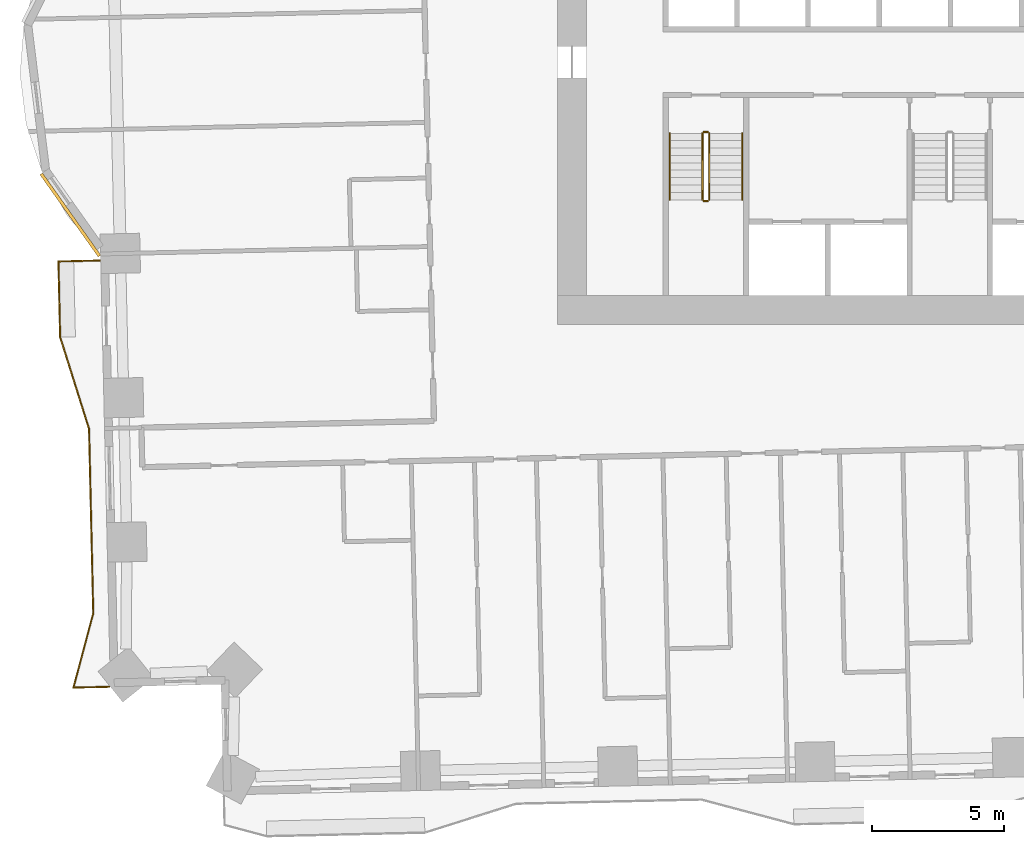
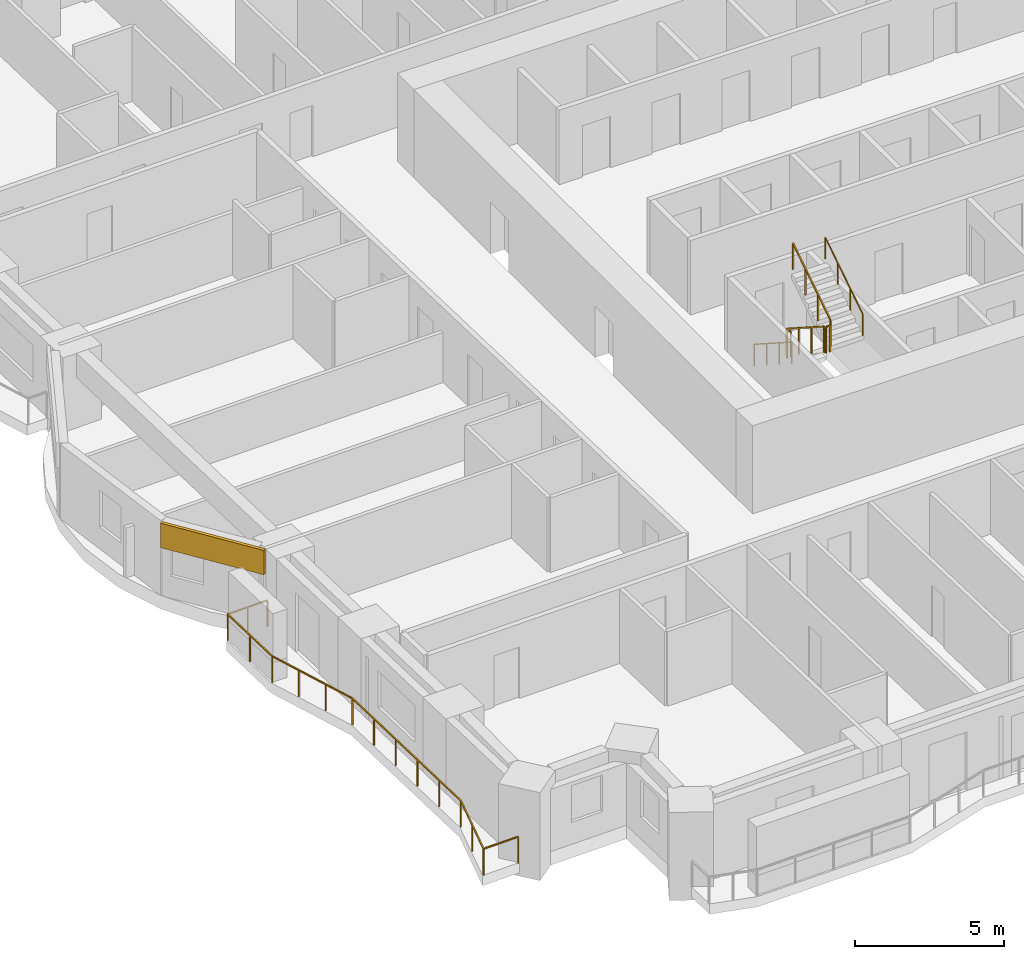
# One storey, part 13 of 16: 7 railings, 1 covering.
"""IFC4 building model written with IfcOpenShell, lengths in metres."""

from ifc_helpers import new_model, si_unit, direction, frame, frame_2d, origin, origin_2d, place, context, subcontext, project, spatial, rectangle, circle, extrude, material, layer, layer_set, type_object, element, save


model = new_model("IFC4")

# Units and contexts
model_context = context("Model", 3, precision=1e-05, world=origin(), true_north=direction((0.0, 1.0)))
body_context = subcontext(model_context, "Body", "Model", "MODEL_VIEW")
ifc_project = project(units=[si_unit("LENGTHUNIT", "METRE"), si_unit("AREAUNIT", "SQUARE_METRE"), si_unit("VOLUMEUNIT", "CUBIC_METRE"), si_unit("PLANEANGLEUNIT", "RADIAN"), si_unit("MASSUNIT", "GRAM", prefix="KILO")], contexts=[model_context])

# Site, building, storey
site_placement = place(None, origin())
site = spatial("IfcSite", under=ifc_project, at=site_placement, CompositionType="ELEMENT")
building_placement = place(site_placement, origin())
building = spatial("IfcBuilding", under=site, at=building_placement, Name="Mangrove Gate Tower", CompositionType="ELEMENT")
storey_placement = place(building_placement, frame((0.0, 0.0, 44.89990234375)))
storey = spatial("IfcBuildingStorey", under=building, at=storey_placement, Name="L10", CompositionType="ELEMENT", Elevation=44.89990234375)

# Railings
ifc_material_1 = material(Name="Stainless steel grade 316 with laminated glass infill", Category="steel")
railing_type_1 = type_object("IfcRailingType", Name="Balcony guard 1100", PredefinedType="GUARDRAIL", material=ifc_material_1)
railing_1_placement = place(storey_placement, frame((-32.27001953125, -9.472900390625, 0.0)))
element("IfcRailing", 1, at=railing_1_placement, inside=storey, type_object=railing_type_1, Name="GUARD L10 W2", PredefinedType="GUARDRAIL", context=body_context, shape_type="SweptSolid", body=[
    extrude(rectangle(XDim=0.048095703125, YDim=0.048095703125, at=origin_2d()), frame((0.0, 0.0, 1.076171875), z_axis=(-0.999733224618, -0.023097177216, 0.0), x_axis=(0.023097177216, -0.999733224618, 0.0)), (0.0, 0.0, 1.0), 1.564453125),
    extrude(rectangle(XDim=0.048095703125, YDim=0.048095703125, at=origin_2d()), frame((-1.56396484375, -0.0361328125, 1.076171875), z_axis=(0.022590224177, -0.999744808324, 0.0), x_axis=(0.999744808324, 0.022590224177, 0.0)), (0.0, 0.0, 1.0), 2.874755859375),
    extrude(rectangle(XDim=0.048095703125, YDim=0.048095703125, at=origin_2d()), frame((-1.4990234375, -2.91015625, 1.076171875), z_axis=(0.300711352929, -0.953715199742, 0.0), x_axis=(0.953715199742, 0.300711352929, 0.0)), (0.0, 0.0, 1.0), 3.64453125),
    extrude(rectangle(XDim=0.048095703125, YDim=0.048095703125, at=origin_2d()), frame((-0.403076171875, -6.385986328125, 1.076171875), z_axis=(0.022740419861, -0.999741403216, 0.0), x_axis=(0.999741403216, 0.022740419861, 0.0)), (0.0, 0.0, 1.0), 6.999755859375),
    extrude(rectangle(XDim=0.048095703125, YDim=0.048095703125, at=origin_2d()), frame((-0.243896484375, -13.384033203125, 1.076171875), z_axis=(-0.257266487886, -0.966340496001, 0.0), x_axis=(0.966340496001, -0.257266487886, 0.0)), (0.0, 0.0, 1.0), 2.915283203125),
    extrude(rectangle(XDim=0.048095703125, YDim=0.048095703125, at=origin_2d()), frame((-0.993896484375, -16.201171875, 1.076171875), z_axis=(0.999756618408, 0.02206136779, 0.0), x_axis=(-0.02206136779, 0.999756618408, 0.0)), (0.0, 0.0, 1.0), 1.361083984375),
    extrude(rectangle(XDim=0.0419921875, YDim=0.0419921875, at=origin_2d()), origin(), (0.0, 0.0, 1.0), 1.052001953125),
    extrude(rectangle(XDim=0.0419921875, YDim=0.0419921875, at=origin_2d()), frame((-0.781982421875, -0.01806640625, 0.0)), (0.0, 0.0, 1.0), 1.052001953125),
    extrude(rectangle(XDim=0.0419921875, YDim=0.0419921875, at=origin_2d()), frame((-1.56396484375, -0.0361328125, 0.0)), (0.0, 0.0, 1.0), 1.052001953125),
    extrude(rectangle(XDim=0.0419921875, YDim=0.0419921875, at=origin_2d()), frame((-1.531494140625, -1.47314453125, 0.0)), (0.0, 0.0, 1.0), 1.052001953125),
    extrude(rectangle(XDim=0.0419921875, YDim=0.0419921875, at=origin_2d()), frame((-1.4990234375, -2.91015625, 0.0)), (0.0, 0.0, 1.0), 1.052001953125),
    extrude(rectangle(XDim=0.0419921875, YDim=0.0419921875, at=origin_2d()), frame((-1.1337890625, -4.06884765625, 0.0)), (0.0, 0.0, 1.0), 1.052001953125),
    extrude(rectangle(XDim=0.0419921875, YDim=0.0419921875, at=origin_2d()), frame((-0.768310546875, -5.227294921875, 0.0)), (0.0, 0.0, 1.0), 1.052001953125),
    extrude(rectangle(XDim=0.0419921875, YDim=0.0419921875, at=origin_2d()), frame((-0.403076171875, -6.385986328125, 0.0)), (0.0, 0.0, 1.0), 1.052001953125),
    extrude(rectangle(XDim=0.0419921875, YDim=0.0419921875, at=origin_2d()), frame((-0.371337890625, -7.78564453125, 0.0)), (0.0, 0.0, 1.0), 1.052001953125),
    extrude(rectangle(XDim=0.0419921875, YDim=0.0419921875, at=origin_2d()), frame((-0.33935546875, -9.185302734375, 0.0)), (0.0, 0.0, 1.0), 1.052001953125),
    extrude(rectangle(XDim=0.0419921875, YDim=0.0419921875, at=origin_2d()), frame((-0.3076171875, -10.584716796875, 0.0)), (0.0, 0.0, 1.0), 1.052001953125),
    extrude(rectangle(XDim=0.0419921875, YDim=0.0419921875, at=origin_2d()), frame((-0.275634765625, -11.984375, 0.0)), (0.0, 0.0, 1.0), 1.052001953125),
    extrude(rectangle(XDim=0.0419921875, YDim=0.0419921875, at=origin_2d()), frame((-0.243896484375, -13.384033203125, 0.0)), (0.0, 0.0, 1.0), 1.052001953125),
    extrude(rectangle(XDim=0.0419921875, YDim=0.0419921875, at=origin_2d()), frame((-0.618896484375, -14.79248046875, 0.0)), (0.0, 0.0, 1.0), 1.052001953125),
    extrude(rectangle(XDim=0.0419921875, YDim=0.0419921875, at=origin_2d()), frame((-0.993896484375, -16.201171875, 0.0)), (0.0, 0.0, 1.0), 1.052001953125),
    extrude(rectangle(XDim=0.0419921875, YDim=0.0419921875, at=origin_2d()), frame((0.366943359375, -16.171142578125, 0.0)), (0.0, 0.0, 1.0), 1.052001953125),
])
ifc_material_2 = material(Name="Stainless steel 316", Category="steel")
railing_type_2 = type_object("IfcRailingType", Name="Core stair guard 1100", PredefinedType="GUARDRAIL", material=ifc_material_2)
railing_2_placement = place(storey_placement, frame((-9.39990234375, -4.64990234375, 0.18017578125)))
element("IfcRailing", 2, at=railing_2_placement, inside=storey, type_object=railing_type_2, Name="L10 ST1 stair guard 1", PredefinedType="GUARDRAIL", context=body_context, shape_type="SweptSolid", body=[
    extrude(rectangle(XDim=0.048095703125, YDim=0.048095703125, at=origin_2d()), frame((0.0, 0.0, 1.076171875), z_axis=(0.0, -0.841199657755, 0.540724639528), x_axis=(1.0, 0.0, 0.0)), (0.0, 0.0, 1.0), 2.995849609375),
    extrude(rectangle(XDim=0.0419921875, YDim=0.0419921875, at=origin_2d()), origin(), (0.0, 0.0, 1.0), 1.052001953125),
    extrude(rectangle(XDim=0.0419921875, YDim=0.0419921875, at=origin_2d()), frame((0.0, -0.840087890625, 0.5400390625)), (0.0, 0.0, 1.0), 1.052001953125),
    extrude(rectangle(XDim=0.0419921875, YDim=0.0419921875, at=origin_2d()), frame((0.0, -1.679931640625, 1.079833984375)), (0.0, 0.0, 1.0), 1.052001953125),
    extrude(rectangle(XDim=0.0419921875, YDim=0.0419921875, at=origin_2d()), frame((0.0, -2.52001953125, 1.619873046875)), (0.0, 0.0, 1.0), 1.052001953125),
])
railing_3_placement = place(storey_placement, frame((-9.35009765625, -7.219970703125, 1.800048828125)))
element("IfcRailing", 3, at=railing_3_placement, inside=storey, type_object=railing_type_2, Name="L10 ST1 stair guard 2", PredefinedType="GUARDRAIL", context=body_context, shape_type="SweptSolid", body=[
    extrude(rectangle(XDim=0.048095703125, YDim=0.048095703125, at=origin_2d()), frame((0.0, 0.0, 1.076171875), z_axis=(1.0, 0.0, 0.0), x_axis=(0.0, 1.0, 0.0)), (0.0, 0.0, 1.0), 0.150146484375),
    extrude(rectangle(XDim=0.0419921875, YDim=0.0419921875, at=origin_2d()), origin(), (0.0, 0.0, 1.0), 1.052001953125),
    extrude(rectangle(XDim=0.0419921875, YDim=0.0419921875, at=origin_2d()), frame((0.150146484375, 0.0, 0.0)), (0.0, 0.0, 1.0), 1.052001953125),
])
railing_4_placement = place(storey_placement, frame((-9.14990234375, -7.169921875, 1.97998046875)))
element("IfcRailing", 4, at=railing_4_placement, inside=storey, type_object=railing_type_2, Name="L10 ST1 stair guard 3", PredefinedType="GUARDRAIL", context=body_context, shape_type="SweptSolid", body=[
    extrude(rectangle(XDim=0.048095703125, YDim=0.048095703125, at=origin_2d()), frame((0.0, 0.0, 1.076171875), z_axis=(0.0, 0.841162588446, 0.540782303519), x_axis=(-1.0, 0.0, 0.0)), (0.0, 0.0, 1.0), 2.995849609375),
    extrude(rectangle(XDim=0.0419921875, YDim=0.0419921875, at=origin_2d()), origin(), (0.0, 0.0, 1.0), 1.052001953125),
    extrude(rectangle(XDim=0.0419921875, YDim=0.0419921875, at=origin_2d()), frame((0.0, 0.840087890625, 0.5400390625)), (0.0, 0.0, 1.0), 1.052001953125),
    extrude(rectangle(XDim=0.0419921875, YDim=0.0419921875, at=origin_2d()), frame((0.0, 1.679931640625, 1.080078125)), (0.0, 0.0, 1.0), 1.052001953125),
    extrude(rectangle(XDim=0.0419921875, YDim=0.0419921875, at=origin_2d()), frame((0.0, 2.52001953125, 1.6201171875)), (0.0, 0.0, 1.0), 1.052001953125),
])
railing_5_placement = place(storey_placement, frame((-9.35009765625, -4.60009765625, 0.0)))
element("IfcRailing", 5, at=railing_5_placement, inside=storey, type_object=railing_type_2, Name="L10 ST1 stair guard 4", PredefinedType="GUARDRAIL", context=body_context, shape_type="SweptSolid", body=[
    extrude(rectangle(XDim=0.048095703125, YDim=0.048095703125, at=origin_2d()), frame((0.0, 0.0, 1.076171875), z_axis=(1.0, 0.0, 0.0), x_axis=(0.0, 1.0, 0.0)), (0.0, 0.0, 1.0), 0.150146484375),
    extrude(rectangle(XDim=0.0419921875, YDim=0.0419921875, at=origin_2d()), origin(), (0.0, 0.0, 1.0), 1.052001953125),
    extrude(rectangle(XDim=0.0419921875, YDim=0.0419921875, at=origin_2d()), frame((0.150146484375, 0.0, 0.0)), (0.0, 0.0, 1.0), 1.052001953125),
])
ifc_material_3 = material(Name="Stainless steel 316", Category="steel")
railing_type_3 = type_object("IfcRailingType", Name="Core stair handrail 900", PredefinedType="HANDRAIL", material=ifc_material_3)
railing_6_placement = place(storey_placement, frame((-10.64990234375, -4.64990234375, 0.18017578125)))
element("IfcRailing", 6, at=railing_6_placement, inside=storey, type_object=railing_type_3, Name="L10 ST1 stair handrail 1", PredefinedType="HANDRAIL", context=body_context, shape_type="SweptSolid", body=[
    extrude(circle(Radius=0.02392578125, at=origin_2d()), frame((0.0, 0.0, 0.8759765625), z_axis=(0.0, -0.841199657755, 0.540724639528), x_axis=(1.0, 0.0, 0.0)), (0.0, 0.0, 1.0), 2.995849609375),
    extrude(circle(Radius=0.02099609375, at=origin_2d()), origin(), (0.0, 0.0, 1.0), 0.851806640625),
    extrude(circle(Radius=0.02099609375, at=origin_2d()), frame((0.0, -0.840087890625, 0.5400390625)), (0.0, 0.0, 1.0), 0.851806640625),
    extrude(circle(Radius=0.02099609375, at=origin_2d()), frame((0.0, -1.679931640625, 1.079833984375)), (0.0, 0.0, 1.0), 0.851806640625),
    extrude(circle(Radius=0.02099609375, at=origin_2d()), frame((0.0, -2.52001953125, 1.619873046875)), (0.0, 0.0, 1.0), 0.851806640625),
])
railing_7_placement = place(storey_placement, frame((-7.89990234375, -7.169921875, 1.97998046875)))
element("IfcRailing", 7, at=railing_7_placement, inside=storey, type_object=railing_type_3, Name="L10 ST1 stair handrail 2", PredefinedType="HANDRAIL", context=body_context, shape_type="SweptSolid", body=[
    extrude(circle(Radius=0.02392578125, at=origin_2d()), frame((0.0, 0.0, 0.8759765625), z_axis=(0.0, 0.841162588446, 0.540782303519), x_axis=(-1.0, 0.0, 0.0)), (0.0, 0.0, 1.0), 2.995849609375),
    extrude(circle(Radius=0.02099609375, at=origin_2d()), origin(), (0.0, 0.0, 1.0), 0.851806640625),
    extrude(circle(Radius=0.02099609375, at=origin_2d()), frame((0.0, 0.840087890625, 0.5400390625)), (0.0, 0.0, 1.0), 0.851806640625),
    extrude(circle(Radius=0.02099609375, at=origin_2d()), frame((0.0, 1.679931640625, 1.080078125)), (0.0, 0.0, 1.0), 0.851806640625),
    extrude(circle(Radius=0.02099609375, at=origin_2d()), frame((0.0, 2.52001953125, 1.6201171875)), (0.0, 0.0, 1.0), 0.851806640625),
])

# Covering
ifc_material_4 = material(Name="Limestone", Category="masonry")
ifc_layer_1 = layer(ifc_material_4, 0.0400390625, Name="Limestone cladding")
ifc_material_5 = material(Name="Stainless steel anchors and cavity", Category="steel")
ifc_layer_2 = layer(ifc_material_5, 0.080078125, Name="Fixing cavity")
ifc_layer_set = layer_set([ifc_layer_1, ifc_layer_2], Name="Joint fascia cladding 120")
covering_type = type_object("IfcCoveringType", Name="Joint fascia cladding 120", PredefinedType="CLADDING", material=ifc_layer_set)
covering_placement = place(storey_placement, frame((-34.486083984375, -6.18701171875, 2.050048828125), z_axis=(0.0, 0.0, 1.0), x_axis=(0.578168098379, -0.815917673553, 0.0)))
element("IfcCovering", 8, at=covering_placement, inside=storey, type_object=covering_type, Name="STONE FASCIA L10 W9.L2", PredefinedType="CLADDING", context=body_context, shape_type="SweptSolid", body=[
    extrude(rectangle(XDim=3.819091796875, YDim=0.1201171875, at=frame_2d((1.90966796875, 0.0))), origin(), (0.0, 0.0, 1.0), 1.0),
])

save(model, "model.ifc")
